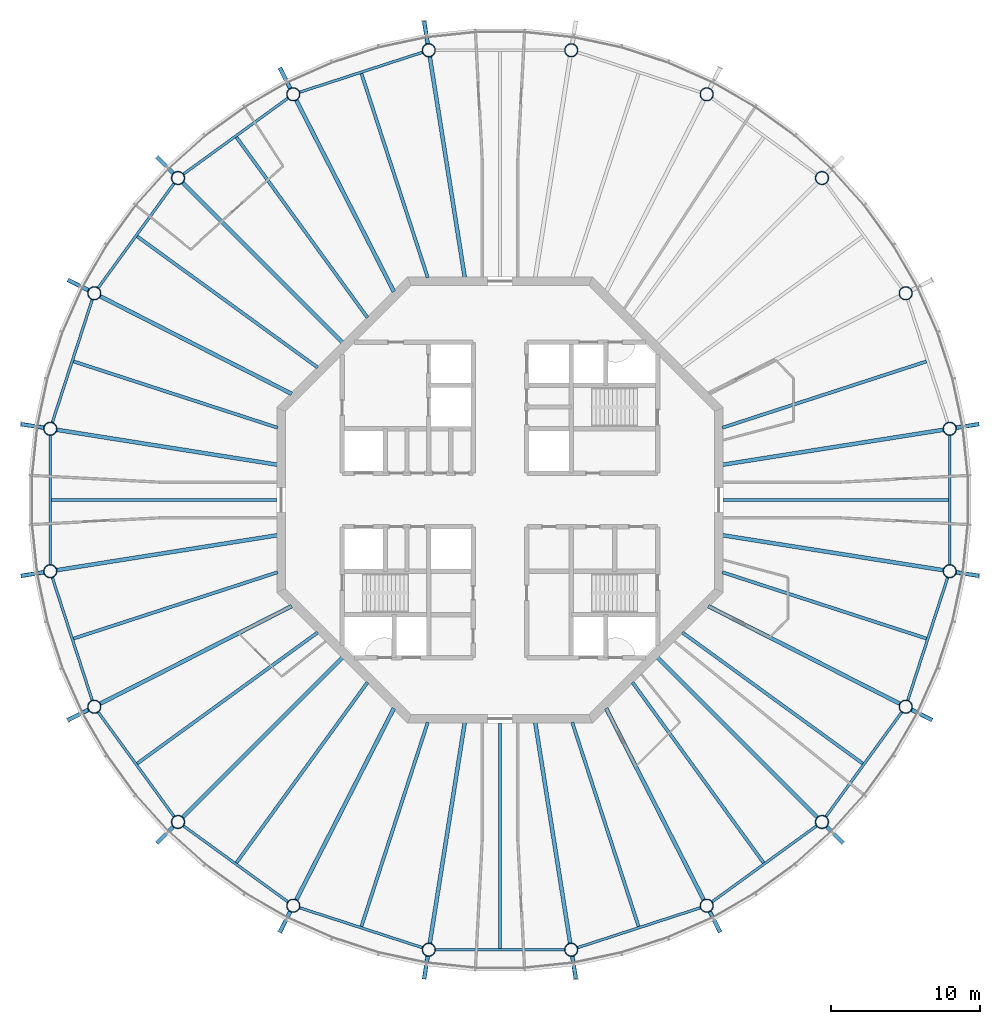
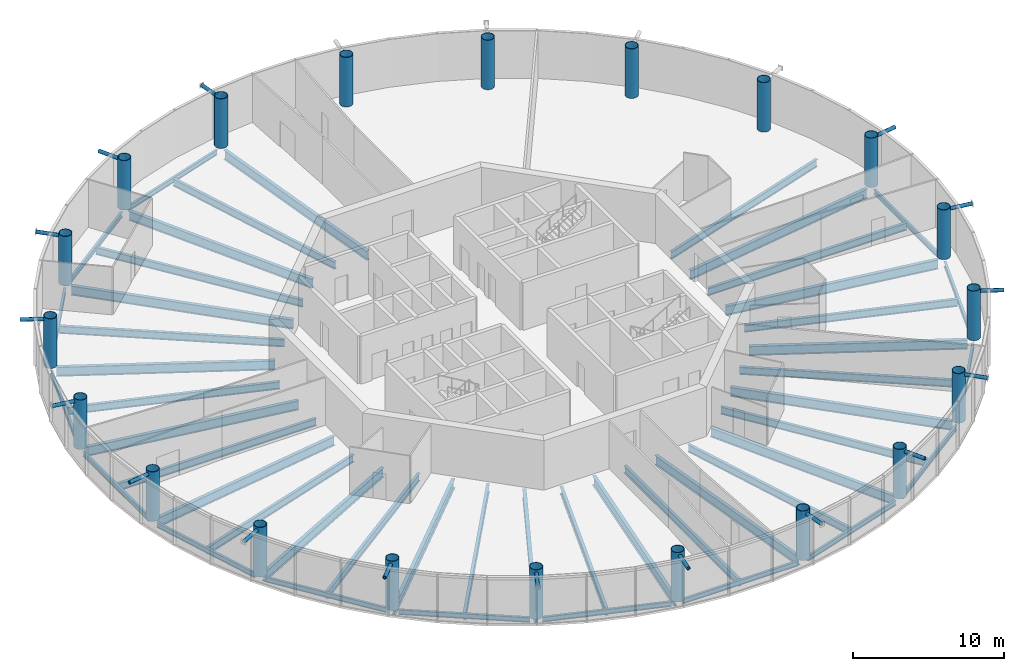
# One storey, part 1 of 18: 47 beams, 20 columns, 16 members.
"""IFC4 building model written with IfcOpenShell, lengths in metres."""

from ifc_helpers import new_model, si_unit, direction, frame, origin, origin_2d, place, context, subcontext, project, spatial, circle, hollow_circle, i_section, extrude, material, material_profile, profile_set, type_object, element, save


model = new_model("IFC4")

# Units and contexts
model_context = context("Model", 3, precision=1e-05, world=origin(), true_north=direction((0.0, 1.0)))
body_context = subcontext(model_context, "Body", "Model", "MODEL_VIEW")
ifc_project = project(units=[si_unit("LENGTHUNIT", "METRE"), si_unit("AREAUNIT", "SQUARE_METRE"), si_unit("VOLUMEUNIT", "CUBIC_METRE"), si_unit("PLANEANGLEUNIT", "RADIAN"), si_unit("MASSUNIT", "GRAM", prefix="KILO")], contexts=[model_context])

# Site, building, storey
site_placement = place(None, origin())
site = spatial("IfcSite", under=ifc_project, at=site_placement, CompositionType="ELEMENT")
building_placement = place(site_placement, origin())
building = spatial("IfcBuilding", under=site, at=building_placement, Name="Entoto Ring Tower", CompositionType="ELEMENT")
storey_placement = place(building_placement, frame((0.0, 0.0, 352.0)))
storey = spatial("IfcBuildingStorey", under=building, at=storey_placement, Name="L81", CompositionType="ELEMENT", Elevation=352.0)

# Columns
ifc_material_1 = material(Name="Steel S355", Category="steel")
ifc_material_profile_1 = material_profile(ifc_material_1, hollow_circle(Radius=0.449951171875, WallThickness=0.0400390625, at=origin_2d()), Name="CHS 900 x 40")
ifc_material_2 = material(Name="Concrete C60/75", Category="concrete")
ifc_material_profile_2 = material_profile(ifc_material_2, circle(Radius=0.409912109375, at=origin_2d()), Name="Concrete C60/75 infill")
ifc_profile_set_1 = profile_set([ifc_material_profile_1, ifc_material_profile_2], Name="Steel S355")
column_type = type_object("IfcColumnType", Name="Ring column 900 x 40 concrete-filled tube", PredefinedType="COLUMN", material=ifc_profile_set_1)
for number, where, z_axis, x_axis, name in (
    (1, (120.22314453125, 84.786865234375, 0.0), (0.0, 0.0, 1.0), (1.0, 0.0, 0.0), "RC6 R01"),
    (2, (117.264892578125, 93.89208984375, 0.0), (0.0, 0.0, 1.0), (1.0, 0.0, 0.0), "RC6 R02"),
    (3, (111.637451171875, 101.637451171875, 0.0), (0.0, 0.0, 1.0), (1.0, 0.0, 0.0), "RC6 R03"),
    (4, (103.89208984375, 107.264892578125, 0.0), (0.0, 0.0, 1.0), (1.0, 0.0, 0.0), "RC6 R04"),
    (5, (94.786865234375, 110.22314453125, 0.0), (0.0, 0.0, 1.0), (1.0, 0.0, 0.0), "RC6 R05"),
    (6, (85.213134765625, 110.22314453125, 0.0), (0.0, 0.0, 1.0), (1.0, 0.0, 0.0), "RC6 R06"),
    (7, (76.10791015625, 107.264892578125, 0.0), (0.0, 0.0, 1.0), (1.0, 0.0, 0.0), "RC6 R07"),
    (8, (68.362548828125, 101.637451171875, 0.0), (0.0, 0.0, 1.0), (1.0, 0.0, 0.0), "RC6 R08"),
    (9, (62.735107421875, 93.89208984375, 0.0), (0.0, 0.0, 1.0), (1.0, 0.0, 0.0), "RC6 R09"),
    (10, (59.77685546875, 84.786865234375, 0.0), (0.0, 0.0, 1.0), (1.0, 0.0, 0.0), "RC6 R10"),
    (11, (59.77685546875, 75.213134765625, 0.0), (0.0, 0.0, 1.0), (1.0, 0.0, 0.0), "RC6 R11"),
    (12, (62.735107421875, 66.10791015625, 0.0), (0.0, 0.0, 1.0), (1.0, 0.0, 0.0), "RC6 R12"),
    (13, (68.362548828125, 58.362548828125, 0.0), (0.0, 0.0, 1.0), (1.0, 0.0, 0.0), "RC6 R13"),
    (14, (76.10791015625, 52.735107421875, 0.0), (0.0, 0.0, 1.0), (1.0, 0.0, 0.0), "RC6 R14"),
    (15, (85.213134765625, 49.77685546875, 0.0), (0.0, 0.0, 1.0), (1.0, 0.0, 0.0), "RC6 R15"),
    (16, (94.786865234375, 49.77685546875, 0.0), (0.0, 0.0, 1.0), (1.0, 0.0, 0.0), "RC6 R16"),
    (17, (103.89208984375, 52.735107421875, 0.0), (0.0, 0.0, 1.0), (1.0, 0.0, 0.0), "RC6 R17"),
    (18, (111.637451171875, 58.362548828125, 0.0), (0.0, 0.0, 1.0), (1.0, 0.0, 0.0), "RC6 R18"),
    (19, (117.264892578125, 66.10791015625, 0.0), (0.0, 0.0, 1.0), (1.0, 0.0, 0.0), "RC6 R19"),
    (20, (120.22314453125, 75.213134765625, 0.0), (0.0, 0.0, 1.0), (1.0, 0.0, 0.0), "RC6 R20"),
):
    element("IfcColumn", number, at=place(storey_placement, frame(where, z_axis=z_axis, x_axis=x_axis)), inside=storey, type_object=column_type, Name=name, PredefinedType="COLUMN", context=body_context, shape_type="SweptSolid", body=[
        extrude(hollow_circle(Radius=0.449951171875, WallThickness=0.0400390625, at=origin_2d()), origin(), (0.0, 0.0, 1.0), 4.0),
    ])

# Members
ifc_material_3 = material(Name="Steel S355", Category="steel")
ifc_material_profile_3 = material_profile(ifc_material_3, hollow_circle(Radius=0.136474609375, WallThickness=0.012451171875, at=origin_2d()), Name="CHS 273 x 12.5")
ifc_material_4 = material(Name="Concrete C60/75", Category="concrete")
ifc_material_profile_4 = material_profile(ifc_material_4, circle(Radius=0.1240234375, at=origin_2d()), Name="Concrete C60/75 infill")
ifc_profile_set_2 = profile_set([ifc_material_profile_3, ifc_material_profile_4], Name="Steel S355")
member_type = type_object("IfcMemberType", Name="Diagrid node strut 273 x 12.5", PredefinedType="STRUT", material=ifc_profile_set_2)
for number, where, z_axis, x_axis, name in (
    (21, (120.626953125, 84.850830078125, 3.71337890625), (0.987680731143, 0.156482501672, 0.0), (-0.156482501672, 0.987680731143, 0.0), "DS2 strut ring 26 01"),
    (22, (85.149169921875, 110.626953125, 3.71337890625), (-0.156482501672, 0.987680731143, 0.0), (-0.987680731143, -0.156482501672, 0.0), "DS2 strut ring 26 06"),
    (23, (75.92236328125, 107.62890625, 3.71337890625), (-0.453951061104, 0.891026618078, 0.0), (-0.891026618078, -0.453951061104, 0.0), "DS2 strut ring 26 07"),
    (24, (68.073486328125, 101.926513671875, 3.71337890625), (-0.707106781187, 0.707106781187, 0.0), (-0.707106781187, -0.707106781187, 0.0), "DS2 strut ring 26 08"),
    (25, (62.37109375, 94.07763671875, 3.71337890625), (-0.891026618078, 0.453951061104, 0.0), (-0.453951061104, -0.891026618078, 0.0), "DS2 strut ring 26 09"),
    (26, (59.373046875, 84.850830078125, 3.71337890625), (-0.987680731143, 0.156482501672, 0.0), (-0.156482501672, -0.987680731143, 0.0), "DS2 strut ring 26 10"),
    (27, (59.373046875, 75.149169921875, 3.71337890625), (-0.987680731143, -0.156482501672, 0.0), (0.156482501672, -0.987680731143, 0.0), "DS2 strut ring 26 11"),
    (28, (62.37109375, 65.92236328125, 3.71337890625), (-0.891026618078, -0.453951061104, 0.0), (0.453951061104, -0.891026618078, 0.0), "DS2 strut ring 26 12"),
    (29, (68.073486328125, 58.073486328125, 3.71337890625), (-0.707106781187, -0.707106781187, 0.0), (0.707106781187, -0.707106781187, 0.0), "DS2 strut ring 26 13"),
    (30, (75.92236328125, 52.37109375, 3.71337890625), (-0.453951061104, -0.891026618078, 0.0), (0.891026618078, -0.453951061104, 0.0), "DS2 strut ring 26 14"),
    (31, (85.149169921875, 49.373046875, 3.71337890625), (-0.156482501672, -0.987680731143, 0.0), (0.987680731143, -0.156482501672, 0.0), "DS2 strut ring 26 15"),
    (32, (94.850830078125, 49.373046875, 3.71337890625), (0.156482501672, -0.987680731143, 0.0), (0.987680731143, 0.156482501672, 0.0), "DS2 strut ring 26 16"),
    (33, (104.07763671875, 52.37109375, 3.71337890625), (0.453951061104, -0.891026618078, 0.0), (0.891026618078, 0.453951061104, 0.0), "DS2 strut ring 26 17"),
    (34, (111.926513671875, 58.073486328125, 3.71337890625), (0.707106781187, -0.707106781187, 0.0), (0.707106781187, 0.707106781187, 0.0), "DS2 strut ring 26 18"),
    (35, (117.62890625, 65.92236328125, 3.71337890625), (0.891026618078, -0.453951061104, 0.0), (0.453951061104, 0.891026618078, 0.0), "DS2 strut ring 26 19"),
    (36, (120.626953125, 75.149169921875, 3.71337890625), (0.987680731143, -0.156482501672, 0.0), (0.156482501672, 0.987680731143, 0.0), "DS2 strut ring 26 20"),
):
    element("IfcMember", number, at=place(storey_placement, frame(where, z_axis=z_axis, x_axis=x_axis)), inside=storey, type_object=member_type, Name=name, PredefinedType="STRUT", context=body_context, shape_type="SweptSolid", body=[
        extrude(hollow_circle(Radius=0.136474609375, WallThickness=0.012451171875, at=origin_2d()), origin(), (0.0, 0.0, 1.0), 1.59130859375),
    ])

# Beams
ifc_material_5 = material(Name="Steel S355", Category="steel")
ifc_material_profile_5 = material_profile(ifc_material_5, i_section(OverallWidth=0.179931640625, OverallDepth=0.39990234375, WebThickness=0.008544921875, FlangeThickness=0.013427734375, FilletRadius=0.02099609375, at=origin_2d()), Name="IPE 400")
ifc_profile_set_3 = profile_set([ifc_material_profile_5], Name="Steel S355")
beam_type_1 = type_object("IfcBeamType", Name="Edge beam IPE 400", PredefinedType="SPANDREL", material=ifc_profile_set_3)
beam_1_placement = place(storey_placement, frame((84.812744140625, 110.09326171875, -0.35009765625), z_axis=(-0.951052147972, -0.309030438368, 0.0), x_axis=(0.309030438368, -0.951052147972, 0.0)))
element("IfcBeam", 37, at=beam_1_placement, inside=storey, type_object=beam_type_1, Name="Edge beam L81 06", PredefinedType="SPANDREL", context=body_context, shape_type="SweptSolid", body=[
    extrude(i_section(OverallWidth=0.179931640625, OverallDepth=0.39990234375, WebThickness=0.008544921875, FlangeThickness=0.013427734375, FilletRadius=0.02099609375, at=origin_2d()), origin(), (0.0, 0.0, 1.0), 8.732177734375),
])
for number, where, z_axis, x_axis, name in (
    (38, (75.767333984375, 107.017333984375, -0.35009765625), (-0.80901045354, -0.587794254874, 0.0), (0.587794254874, -0.80901045354, 0.0), "Edge beam L81 07"),
    (39, (68.115234375, 101.296875, -0.35009765625), (-0.587794254874, -0.80901045354, 0.0), (0.80901045354, -0.587794254874, 0.0), "Edge beam L81 08"),
):
    element("IfcBeam", number, at=place(storey_placement, frame(where, z_axis=z_axis, x_axis=x_axis)), inside=storey, type_object=beam_type_1, Name=name, PredefinedType="SPANDREL", context=body_context, shape_type="SweptSolid", body=[
        extrude(i_section(OverallWidth=0.179931640625, OverallDepth=0.39990234375, WebThickness=0.008544921875, FlangeThickness=0.013427734375, FilletRadius=0.02099609375, at=origin_2d()), origin(), (0.0, 0.0, 1.0), 8.73193359375),
    ])
beam_2_placement = place(storey_placement, frame((62.605224609375, 93.491943359375, -0.35009765625), z_axis=(-0.309030438368, -0.951052147972, 0.0), x_axis=(0.951052147972, -0.309030438368, 0.0)))
element("IfcBeam", 40, at=beam_2_placement, inside=storey, type_object=beam_type_1, Name="Edge beam L81 09", PredefinedType="SPANDREL", context=body_context, shape_type="SweptSolid", body=[
    extrude(i_section(OverallWidth=0.179931640625, OverallDepth=0.39990234375, WebThickness=0.008544921875, FlangeThickness=0.013427734375, FilletRadius=0.02099609375, at=origin_2d()), origin(), (0.0, 0.0, 1.0), 8.732177734375),
])
beam_3_placement = place(storey_placement, frame((59.77685546875, 84.365966796875, -0.35009765625), z_axis=(0.0, -1.0, 0.0), x_axis=(1.0, 0.0, 0.0)))
element("IfcBeam", 41, at=beam_3_placement, inside=storey, type_object=beam_type_1, Name="Edge beam L81 10", PredefinedType="SPANDREL", context=body_context, shape_type="SweptSolid", body=[
    extrude(i_section(OverallWidth=0.179931640625, OverallDepth=0.39990234375, WebThickness=0.008544921875, FlangeThickness=0.013427734375, FilletRadius=0.02099609375, at=origin_2d()), origin(), (0.0, 0.0, 1.0), 8.73193359375),
])
beam_4_placement = place(storey_placement, frame((59.90673828125, 74.812744140625, -0.35009765625), z_axis=(0.309030438368, -0.951052147972, 0.0), x_axis=(0.951052147972, 0.309030438368, 0.0)))
element("IfcBeam", 42, at=beam_4_placement, inside=storey, type_object=beam_type_1, Name="Edge beam L81 11", PredefinedType="SPANDREL", context=body_context, shape_type="SweptSolid", body=[
    extrude(i_section(OverallWidth=0.179931640625, OverallDepth=0.39990234375, WebThickness=0.008544921875, FlangeThickness=0.013427734375, FilletRadius=0.02099609375, at=origin_2d()), origin(), (0.0, 0.0, 1.0), 8.732177734375),
])
for number, where, z_axis, x_axis, name in (
    (43, (62.982666015625, 65.767333984375, -0.35009765625), (0.587794254874, -0.80901045354, 0.0), (0.80901045354, 0.587794254874, 0.0), "Edge beam L81 12"),
    (44, (68.703125, 58.115234375, -0.35009765625), (0.80901045354, -0.587794254874, 0.0), (0.587794254874, 0.80901045354, 0.0), "Edge beam L81 13"),
):
    element("IfcBeam", number, at=place(storey_placement, frame(where, z_axis=z_axis, x_axis=x_axis)), inside=storey, type_object=beam_type_1, Name=name, PredefinedType="SPANDREL", context=body_context, shape_type="SweptSolid", body=[
        extrude(i_section(OverallWidth=0.179931640625, OverallDepth=0.39990234375, WebThickness=0.008544921875, FlangeThickness=0.013427734375, FilletRadius=0.02099609375, at=origin_2d()), origin(), (0.0, 0.0, 1.0), 8.73193359375),
    ])
beam_5_placement = place(storey_placement, frame((76.508056640625, 52.605224609375, -0.35009765625), z_axis=(0.951052147972, -0.309030438368, 0.0), x_axis=(0.309030438368, 0.951052147972, 0.0)))
element("IfcBeam", 45, at=beam_5_placement, inside=storey, type_object=beam_type_1, Name="Edge beam L81 14", PredefinedType="SPANDREL", context=body_context, shape_type="SweptSolid", body=[
    extrude(i_section(OverallWidth=0.179931640625, OverallDepth=0.39990234375, WebThickness=0.008544921875, FlangeThickness=0.013427734375, FilletRadius=0.02099609375, at=origin_2d()), origin(), (0.0, 0.0, 1.0), 8.732177734375),
])
beam_6_placement = place(storey_placement, frame((85.634033203125, 49.77685546875, -0.35009765625), z_axis=(1.0, 0.0, 0.0), x_axis=(0.0, 1.0, 0.0)))
element("IfcBeam", 46, at=beam_6_placement, inside=storey, type_object=beam_type_1, Name="Edge beam L81 15", PredefinedType="SPANDREL", context=body_context, shape_type="SweptSolid", body=[
    extrude(i_section(OverallWidth=0.179931640625, OverallDepth=0.39990234375, WebThickness=0.008544921875, FlangeThickness=0.013427734375, FilletRadius=0.02099609375, at=origin_2d()), origin(), (0.0, 0.0, 1.0), 8.73193359375),
])
beam_7_placement = place(storey_placement, frame((95.187255859375, 49.90673828125, -0.35009765625), z_axis=(0.951052147972, 0.309030438368, 0.0), x_axis=(-0.309030438368, 0.951052147972, 0.0)))
element("IfcBeam", 47, at=beam_7_placement, inside=storey, type_object=beam_type_1, Name="Edge beam L81 16", PredefinedType="SPANDREL", context=body_context, shape_type="SweptSolid", body=[
    extrude(i_section(OverallWidth=0.179931640625, OverallDepth=0.39990234375, WebThickness=0.008544921875, FlangeThickness=0.013427734375, FilletRadius=0.02099609375, at=origin_2d()), origin(), (0.0, 0.0, 1.0), 8.732177734375),
])
for number, where, z_axis, x_axis, name in (
    (48, (104.232666015625, 52.982666015625, -0.35009765625), (0.80901045354, 0.587794254874, 0.0), (-0.587794254874, 0.80901045354, 0.0), "Edge beam L81 17"),
    (49, (111.884765625, 58.703125, -0.35009765625), (0.587794254874, 0.80901045354, 0.0), (-0.80901045354, 0.587794254874, 0.0), "Edge beam L81 18"),
):
    element("IfcBeam", number, at=place(storey_placement, frame(where, z_axis=z_axis, x_axis=x_axis)), inside=storey, type_object=beam_type_1, Name=name, PredefinedType="SPANDREL", context=body_context, shape_type="SweptSolid", body=[
        extrude(i_section(OverallWidth=0.179931640625, OverallDepth=0.39990234375, WebThickness=0.008544921875, FlangeThickness=0.013427734375, FilletRadius=0.02099609375, at=origin_2d()), origin(), (0.0, 0.0, 1.0), 8.73193359375),
    ])
beam_8_placement = place(storey_placement, frame((117.394775390625, 66.508056640625, -0.35009765625), z_axis=(0.309030438368, 0.951052147972, 0.0), x_axis=(-0.951052147972, 0.309030438368, 0.0)))
element("IfcBeam", 50, at=beam_8_placement, inside=storey, type_object=beam_type_1, Name="Edge beam L81 19", PredefinedType="SPANDREL", context=body_context, shape_type="SweptSolid", body=[
    extrude(i_section(OverallWidth=0.179931640625, OverallDepth=0.39990234375, WebThickness=0.008544921875, FlangeThickness=0.013427734375, FilletRadius=0.02099609375, at=origin_2d()), origin(), (0.0, 0.0, 1.0), 8.732177734375),
])
beam_9_placement = place(storey_placement, frame((120.22314453125, 75.634033203125, -0.35009765625), z_axis=(0.0, 1.0, 0.0), x_axis=(-1.0, 0.0, 0.0)))
element("IfcBeam", 51, at=beam_9_placement, inside=storey, type_object=beam_type_1, Name="Edge beam L81 20", PredefinedType="SPANDREL", context=body_context, shape_type="SweptSolid", body=[
    extrude(i_section(OverallWidth=0.179931640625, OverallDepth=0.39990234375, WebThickness=0.008544921875, FlangeThickness=0.013427734375, FilletRadius=0.02099609375, at=origin_2d()), origin(), (0.0, 0.0, 1.0), 8.73193359375),
])
ifc_material_6 = material(Name="Steel S355", Category="steel")
ifc_material_profile_6 = material_profile(ifc_material_6, i_section(OverallWidth=0.262939453125, OverallDepth=0.7529296875, WebThickness=0.011474609375, FlangeThickness=0.01708984375, FilletRadius=0.01708984375, at=origin_2d()), Name="IPE 750 x 137")
ifc_profile_set_4 = profile_set([ifc_material_profile_6], Name="Steel S355")
beam_type_2 = type_object("IfcBeamType", Name="Primary floor beam IPE 750 x 137", PredefinedType="BEAM", material=ifc_profile_set_4)
for number, where, z_axis, x_axis, name in (
    (52, (104.959716796875, 82.369384765625, -0.526611328125), (0.987688638122, 0.156432586517, 0.0), (-0.156432586517, 0.987688638122, 0.0), "Primary L81 R01"),
    (53, (87.630615234375, 94.959716796875, -0.526611328125), (-0.156432586517, 0.987688638122, 0.0), (-0.987688638122, -0.156432586517, 0.0), "Primary L81 R06"),
):
    element("IfcBeam", number, at=place(storey_placement, frame(where, z_axis=z_axis, x_axis=x_axis)), inside=storey, type_object=beam_type_2, Name=name, PredefinedType="BEAM", context=body_context, shape_type="SweptSolid", body=[
        extrude(i_section(OverallWidth=0.262939453125, OverallDepth=0.7529296875, WebThickness=0.011474609375, FlangeThickness=0.01708984375, FilletRadius=0.01708984375, at=origin_2d()), origin(), (0.0, 0.0, 1.0), 15.04345703125),
    ])
beam_10_placement = place(storey_placement, frame((82.8681640625, 93.9970703125, -0.526611328125), z_axis=(-0.453991952968, 0.89100578373, 0.0), x_axis=(-0.89100578373, -0.453991952968, 0.0)))
element("IfcBeam", 54, at=beam_10_placement, inside=storey, type_object=beam_type_2, Name="Primary L81 R07", PredefinedType="BEAM", context=body_context, shape_type="SweptSolid", body=[
    extrude(i_section(OverallWidth=0.262939453125, OverallDepth=0.7529296875, WebThickness=0.011474609375, FlangeThickness=0.01708984375, FilletRadius=0.01708984375, at=origin_2d()), origin(), (0.0, 0.0, 1.0), 14.48046875),
])
beam_11_placement = place(storey_placement, frame((79.407470703125, 90.592529296875, -0.526611328125), z_axis=(-0.707106781187, 0.707106781187, 0.0), x_axis=(-0.707106781187, -0.707106781187, 0.0)))
element("IfcBeam", 55, at=beam_11_placement, inside=storey, type_object=beam_type_2, Name="Primary L81 R08", PredefinedType="BEAM", context=body_context, shape_type="SweptSolid", body=[
    extrude(i_section(OverallWidth=0.262939453125, OverallDepth=0.7529296875, WebThickness=0.011474609375, FlangeThickness=0.01708984375, FilletRadius=0.01708984375, at=origin_2d()), origin(), (0.0, 0.0, 1.0), 15.209716796875),
])
beam_12_placement = place(storey_placement, frame((76.0029296875, 87.1318359375, -0.526611328125), z_axis=(-0.89100578373, 0.453991952968, 0.0), x_axis=(-0.453991952968, -0.89100578373, 0.0)))
element("IfcBeam", 56, at=beam_12_placement, inside=storey, type_object=beam_type_2, Name="Primary L81 R09", PredefinedType="BEAM", context=body_context, shape_type="SweptSolid", body=[
    extrude(i_section(OverallWidth=0.262939453125, OverallDepth=0.7529296875, WebThickness=0.011474609375, FlangeThickness=0.01708984375, FilletRadius=0.01708984375, at=origin_2d()), origin(), (0.0, 0.0, 1.0), 14.48046875),
])
for number, where, z_axis, x_axis, name in (
    (57, (75.040283203125, 82.369384765625, -0.526611328125), (-0.987688638122, 0.156432586517, 0.0), (-0.156432586517, -0.987688638122, 0.0), "Primary L81 R10"),
    (58, (75.040283203125, 77.630615234375, -0.526611328125), (-0.987688638122, -0.156432586517, 0.0), (0.156432586517, -0.987688638122, 0.0), "Primary L81 R11"),
):
    element("IfcBeam", number, at=place(storey_placement, frame(where, z_axis=z_axis, x_axis=x_axis)), inside=storey, type_object=beam_type_2, Name=name, PredefinedType="BEAM", context=body_context, shape_type="SweptSolid", body=[
        extrude(i_section(OverallWidth=0.262939453125, OverallDepth=0.7529296875, WebThickness=0.011474609375, FlangeThickness=0.01708984375, FilletRadius=0.01708984375, at=origin_2d()), origin(), (0.0, 0.0, 1.0), 15.04345703125),
    ])
beam_13_placement = place(storey_placement, frame((76.0029296875, 72.8681640625, -0.526611328125), z_axis=(-0.89100578373, -0.453991952968, 0.0), x_axis=(0.453991952968, -0.89100578373, 0.0)))
element("IfcBeam", 59, at=beam_13_placement, inside=storey, type_object=beam_type_2, Name="Primary L81 R12", PredefinedType="BEAM", context=body_context, shape_type="SweptSolid", body=[
    extrude(i_section(OverallWidth=0.262939453125, OverallDepth=0.7529296875, WebThickness=0.011474609375, FlangeThickness=0.01708984375, FilletRadius=0.01708984375, at=origin_2d()), origin(), (0.0, 0.0, 1.0), 14.48046875),
])
beam_14_placement = place(storey_placement, frame((79.407470703125, 69.407470703125, -0.526611328125), z_axis=(-0.707106781187, -0.707106781187, 0.0), x_axis=(0.707106781187, -0.707106781187, 0.0)))
element("IfcBeam", 60, at=beam_14_placement, inside=storey, type_object=beam_type_2, Name="Primary L81 R13", PredefinedType="BEAM", context=body_context, shape_type="SweptSolid", body=[
    extrude(i_section(OverallWidth=0.262939453125, OverallDepth=0.7529296875, WebThickness=0.011474609375, FlangeThickness=0.01708984375, FilletRadius=0.01708984375, at=origin_2d()), origin(), (0.0, 0.0, 1.0), 15.209716796875),
])
beam_15_placement = place(storey_placement, frame((82.8681640625, 66.0029296875, -0.526611328125), z_axis=(-0.453991952968, -0.89100578373, 0.0), x_axis=(0.89100578373, -0.453991952968, 0.0)))
element("IfcBeam", 61, at=beam_15_placement, inside=storey, type_object=beam_type_2, Name="Primary L81 R14", PredefinedType="BEAM", context=body_context, shape_type="SweptSolid", body=[
    extrude(i_section(OverallWidth=0.262939453125, OverallDepth=0.7529296875, WebThickness=0.011474609375, FlangeThickness=0.01708984375, FilletRadius=0.01708984375, at=origin_2d()), origin(), (0.0, 0.0, 1.0), 14.48046875),
])
for number, where, z_axis, x_axis, name in (
    (62, (87.630615234375, 65.040283203125, -0.526611328125), (-0.156432586517, -0.987688638122, 0.0), (0.987688638122, -0.156432586517, 0.0), "Primary L81 R15"),
    (63, (92.369384765625, 65.040283203125, -0.526611328125), (0.156432586517, -0.987688638122, 0.0), (0.987688638122, 0.156432586517, 0.0), "Primary L81 R16"),
):
    element("IfcBeam", number, at=place(storey_placement, frame(where, z_axis=z_axis, x_axis=x_axis)), inside=storey, type_object=beam_type_2, Name=name, PredefinedType="BEAM", context=body_context, shape_type="SweptSolid", body=[
        extrude(i_section(OverallWidth=0.262939453125, OverallDepth=0.7529296875, WebThickness=0.011474609375, FlangeThickness=0.01708984375, FilletRadius=0.01708984375, at=origin_2d()), origin(), (0.0, 0.0, 1.0), 15.04345703125),
    ])
beam_16_placement = place(storey_placement, frame((97.1318359375, 66.0029296875, -0.526611328125), z_axis=(0.453991952968, -0.89100578373, 0.0), x_axis=(0.89100578373, 0.453991952968, 0.0)))
element("IfcBeam", 64, at=beam_16_placement, inside=storey, type_object=beam_type_2, Name="Primary L81 R17", PredefinedType="BEAM", context=body_context, shape_type="SweptSolid", body=[
    extrude(i_section(OverallWidth=0.262939453125, OverallDepth=0.7529296875, WebThickness=0.011474609375, FlangeThickness=0.01708984375, FilletRadius=0.01708984375, at=origin_2d()), origin(), (0.0, 0.0, 1.0), 14.48046875),
])
beam_17_placement = place(storey_placement, frame((100.592529296875, 69.407470703125, -0.526611328125), z_axis=(0.707106781187, -0.707106781187, 0.0), x_axis=(0.707106781187, 0.707106781187, 0.0)))
element("IfcBeam", 65, at=beam_17_placement, inside=storey, type_object=beam_type_2, Name="Primary L81 R18", PredefinedType="BEAM", context=body_context, shape_type="SweptSolid", body=[
    extrude(i_section(OverallWidth=0.262939453125, OverallDepth=0.7529296875, WebThickness=0.011474609375, FlangeThickness=0.01708984375, FilletRadius=0.01708984375, at=origin_2d()), origin(), (0.0, 0.0, 1.0), 15.209716796875),
])
beam_18_placement = place(storey_placement, frame((103.9970703125, 72.8681640625, -0.526611328125), z_axis=(0.89100578373, -0.453991952968, 0.0), x_axis=(0.453991952968, 0.89100578373, 0.0)))
element("IfcBeam", 66, at=beam_18_placement, inside=storey, type_object=beam_type_2, Name="Primary L81 R19", PredefinedType="BEAM", context=body_context, shape_type="SweptSolid", body=[
    extrude(i_section(OverallWidth=0.262939453125, OverallDepth=0.7529296875, WebThickness=0.011474609375, FlangeThickness=0.01708984375, FilletRadius=0.01708984375, at=origin_2d()), origin(), (0.0, 0.0, 1.0), 14.48046875),
])
beam_19_placement = place(storey_placement, frame((104.959716796875, 77.630615234375, -0.526611328125), z_axis=(0.987688638122, -0.156432586517, 0.0), x_axis=(0.156432586517, 0.987688638122, 0.0)))
element("IfcBeam", 67, at=beam_19_placement, inside=storey, type_object=beam_type_2, Name="Primary L81 R20", PredefinedType="BEAM", context=body_context, shape_type="SweptSolid", body=[
    extrude(i_section(OverallWidth=0.262939453125, OverallDepth=0.7529296875, WebThickness=0.011474609375, FlangeThickness=0.01708984375, FilletRadius=0.01708984375, at=origin_2d()), origin(), (0.0, 0.0, 1.0), 15.04345703125),
])
ifc_material_7 = material(Name="Steel S355", Category="steel")
ifc_material_profile_7 = material_profile(ifc_material_7, i_section(OverallWidth=0.219970703125, OverallDepth=0.60009765625, WebThickness=0.011962890625, FlangeThickness=0.01904296875, FilletRadius=0.02392578125, at=origin_2d()), Name="IPE 600")
ifc_profile_set_5 = profile_set([ifc_material_profile_7], Name="Steel S355")
beam_type_3 = type_object("IfcBeamType", Name="Secondary floor beam IPE 600", PredefinedType="JOIST", material=ifc_profile_set_5)
for number, where, z_axis, x_axis, name in (
    (68, (104.947021484375, 84.856689453125, -0.449951171875), (0.951057212949, 0.309014850288, 0.0), (-0.309014850288, 0.951057212949, 0.0), "Secondary beam L81 01"),
    (69, (85.143310546875, 94.947021484375, -0.449951171875), (-0.309014850288, 0.951057212949, 0.0), (-0.951057212949, -0.309014850288, 0.0), "Secondary beam L81 06"),
):
    element("IfcBeam", number, at=place(storey_placement, frame(where, z_axis=z_axis, x_axis=x_axis)), inside=storey, type_object=beam_type_3, Name=name, PredefinedType="JOIST", context=body_context, shape_type="SweptSolid", body=[
        extrude(i_section(OverallWidth=0.219970703125, OverallDepth=0.60009765625, WebThickness=0.011962890625, FlangeThickness=0.01904296875, FilletRadius=0.02392578125, at=origin_2d()), origin(), (0.0, 0.0, 1.0), 14.4169921875),
    ])
for number, where, z_axis, x_axis, name in (
    (70, (81.09521484375, 92.25634765625, -0.449951171875), (-0.587782163866, 0.809019238239, 0.0), (-0.809019238239, -0.587782163866, 0.0), "Secondary beam L81 07"),
    (71, (77.74365234375, 88.90478515625, -0.449951171875), (-0.809019238239, 0.587782163866, 0.0), (-0.587782163866, -0.809019238239, 0.0), "Secondary beam L81 08"),
):
    element("IfcBeam", number, at=place(storey_placement, frame(where, z_axis=z_axis, x_axis=x_axis)), inside=storey, type_object=beam_type_3, Name=name, PredefinedType="JOIST", context=body_context, shape_type="SweptSolid", body=[
        extrude(i_section(OverallWidth=0.219970703125, OverallDepth=0.60009765625, WebThickness=0.011962890625, FlangeThickness=0.01904296875, FilletRadius=0.02392578125, at=origin_2d()), origin(), (0.0, 0.0, 1.0), 14.983642578125),
    ])
beam_20_placement = place(storey_placement, frame((75.052978515625, 84.856689453125, -0.449951171875), z_axis=(-0.951057212949, 0.309014850288, 0.0), x_axis=(-0.309014850288, -0.951057212949, 0.0)))
element("IfcBeam", 72, at=beam_20_placement, inside=storey, type_object=beam_type_3, Name="Secondary beam L81 09", PredefinedType="JOIST", context=body_context, shape_type="SweptSolid", body=[
    extrude(i_section(OverallWidth=0.219970703125, OverallDepth=0.60009765625, WebThickness=0.011962890625, FlangeThickness=0.01904296875, FilletRadius=0.02392578125, at=origin_2d()), origin(), (0.0, 0.0, 1.0), 14.4169921875),
])
beam_21_placement = place(storey_placement, frame((75.02001953125, 80.0, -0.449951171875), z_axis=(-1.0, 0.0, 0.0), x_axis=(0.0, -1.0, 0.0)))
element("IfcBeam", 73, at=beam_21_placement, inside=storey, type_object=beam_type_3, Name="Secondary beam L81 10", PredefinedType="JOIST", context=body_context, shape_type="SweptSolid", body=[
    extrude(i_section(OverallWidth=0.219970703125, OverallDepth=0.60009765625, WebThickness=0.011962890625, FlangeThickness=0.01904296875, FilletRadius=0.02392578125, at=origin_2d()), origin(), (0.0, 0.0, 1.0), 15.1533203125),
])
beam_22_placement = place(storey_placement, frame((75.052978515625, 75.143310546875, -0.449951171875), z_axis=(-0.951057212949, -0.309014850288, 0.0), x_axis=(0.309014850288, -0.951057212949, 0.0)))
element("IfcBeam", 74, at=beam_22_placement, inside=storey, type_object=beam_type_3, Name="Secondary beam L81 11", PredefinedType="JOIST", context=body_context, shape_type="SweptSolid", body=[
    extrude(i_section(OverallWidth=0.219970703125, OverallDepth=0.60009765625, WebThickness=0.011962890625, FlangeThickness=0.01904296875, FilletRadius=0.02392578125, at=origin_2d()), origin(), (0.0, 0.0, 1.0), 14.4169921875),
])
for number, where, z_axis, x_axis, name in (
    (75, (77.74365234375, 71.09521484375, -0.449951171875), (-0.809019238239, -0.587782163866, 0.0), (0.587782163866, -0.809019238239, 0.0), "Secondary beam L81 12"),
    (76, (81.09521484375, 67.74365234375, -0.449951171875), (-0.587782163866, -0.809019238239, 0.0), (0.809019238239, -0.587782163866, 0.0), "Secondary beam L81 13"),
):
    element("IfcBeam", number, at=place(storey_placement, frame(where, z_axis=z_axis, x_axis=x_axis)), inside=storey, type_object=beam_type_3, Name=name, PredefinedType="JOIST", context=body_context, shape_type="SweptSolid", body=[
        extrude(i_section(OverallWidth=0.219970703125, OverallDepth=0.60009765625, WebThickness=0.011962890625, FlangeThickness=0.01904296875, FilletRadius=0.02392578125, at=origin_2d()), origin(), (0.0, 0.0, 1.0), 14.983642578125),
    ])
beam_23_placement = place(storey_placement, frame((85.143310546875, 65.052978515625, -0.449951171875), z_axis=(-0.309014850288, -0.951057212949, 0.0), x_axis=(0.951057212949, -0.309014850288, 0.0)))
element("IfcBeam", 77, at=beam_23_placement, inside=storey, type_object=beam_type_3, Name="Secondary beam L81 14", PredefinedType="JOIST", context=body_context, shape_type="SweptSolid", body=[
    extrude(i_section(OverallWidth=0.219970703125, OverallDepth=0.60009765625, WebThickness=0.011962890625, FlangeThickness=0.01904296875, FilletRadius=0.02392578125, at=origin_2d()), origin(), (0.0, 0.0, 1.0), 14.4169921875),
])
beam_24_placement = place(storey_placement, frame((90.0, 65.02001953125, -0.449951171875), z_axis=(0.0, -1.0, 0.0), x_axis=(1.0, 0.0, 0.0)))
element("IfcBeam", 78, at=beam_24_placement, inside=storey, type_object=beam_type_3, Name="Secondary beam L81 15", PredefinedType="JOIST", context=body_context, shape_type="SweptSolid", body=[
    extrude(i_section(OverallWidth=0.219970703125, OverallDepth=0.60009765625, WebThickness=0.011962890625, FlangeThickness=0.01904296875, FilletRadius=0.02392578125, at=origin_2d()), origin(), (0.0, 0.0, 1.0), 15.1533203125),
])
beam_25_placement = place(storey_placement, frame((94.856689453125, 65.052978515625, -0.449951171875), z_axis=(0.309014850288, -0.951057212949, 0.0), x_axis=(0.951057212949, 0.309014850288, 0.0)))
element("IfcBeam", 79, at=beam_25_placement, inside=storey, type_object=beam_type_3, Name="Secondary beam L81 16", PredefinedType="JOIST", context=body_context, shape_type="SweptSolid", body=[
    extrude(i_section(OverallWidth=0.219970703125, OverallDepth=0.60009765625, WebThickness=0.011962890625, FlangeThickness=0.01904296875, FilletRadius=0.02392578125, at=origin_2d()), origin(), (0.0, 0.0, 1.0), 14.4169921875),
])
for number, where, z_axis, x_axis, name in (
    (80, (98.90478515625, 67.74365234375, -0.449951171875), (0.587782163866, -0.809019238239, 0.0), (0.809019238239, 0.587782163866, 0.0), "Secondary beam L81 17"),
    (81, (102.25634765625, 71.09521484375, -0.449951171875), (0.809019238239, -0.587782163866, 0.0), (0.587782163866, 0.809019238239, 0.0), "Secondary beam L81 18"),
):
    element("IfcBeam", number, at=place(storey_placement, frame(where, z_axis=z_axis, x_axis=x_axis)), inside=storey, type_object=beam_type_3, Name=name, PredefinedType="JOIST", context=body_context, shape_type="SweptSolid", body=[
        extrude(i_section(OverallWidth=0.219970703125, OverallDepth=0.60009765625, WebThickness=0.011962890625, FlangeThickness=0.01904296875, FilletRadius=0.02392578125, at=origin_2d()), origin(), (0.0, 0.0, 1.0), 14.983642578125),
    ])
beam_26_placement = place(storey_placement, frame((104.947021484375, 75.143310546875, -0.449951171875), z_axis=(0.951057212949, -0.309014850288, 0.0), x_axis=(0.309014850288, 0.951057212949, 0.0)))
element("IfcBeam", 82, at=beam_26_placement, inside=storey, type_object=beam_type_3, Name="Secondary beam L81 19", PredefinedType="JOIST", context=body_context, shape_type="SweptSolid", body=[
    extrude(i_section(OverallWidth=0.219970703125, OverallDepth=0.60009765625, WebThickness=0.011962890625, FlangeThickness=0.01904296875, FilletRadius=0.02392578125, at=origin_2d()), origin(), (0.0, 0.0, 1.0), 14.4169921875),
])
beam_27_placement = place(storey_placement, frame((104.97998046875, 80.0, -0.449951171875), z_axis=(1.0, 0.0, 0.0), x_axis=(0.0, 1.0, 0.0)))
element("IfcBeam", 83, at=beam_27_placement, inside=storey, type_object=beam_type_3, Name="Secondary beam L81 20", PredefinedType="JOIST", context=body_context, shape_type="SweptSolid", body=[
    extrude(i_section(OverallWidth=0.219970703125, OverallDepth=0.60009765625, WebThickness=0.011962890625, FlangeThickness=0.01904296875, FilletRadius=0.02392578125, at=origin_2d()), origin(), (0.0, 0.0, 1.0), 15.1533203125),
])

save(model, "model.ifc")
